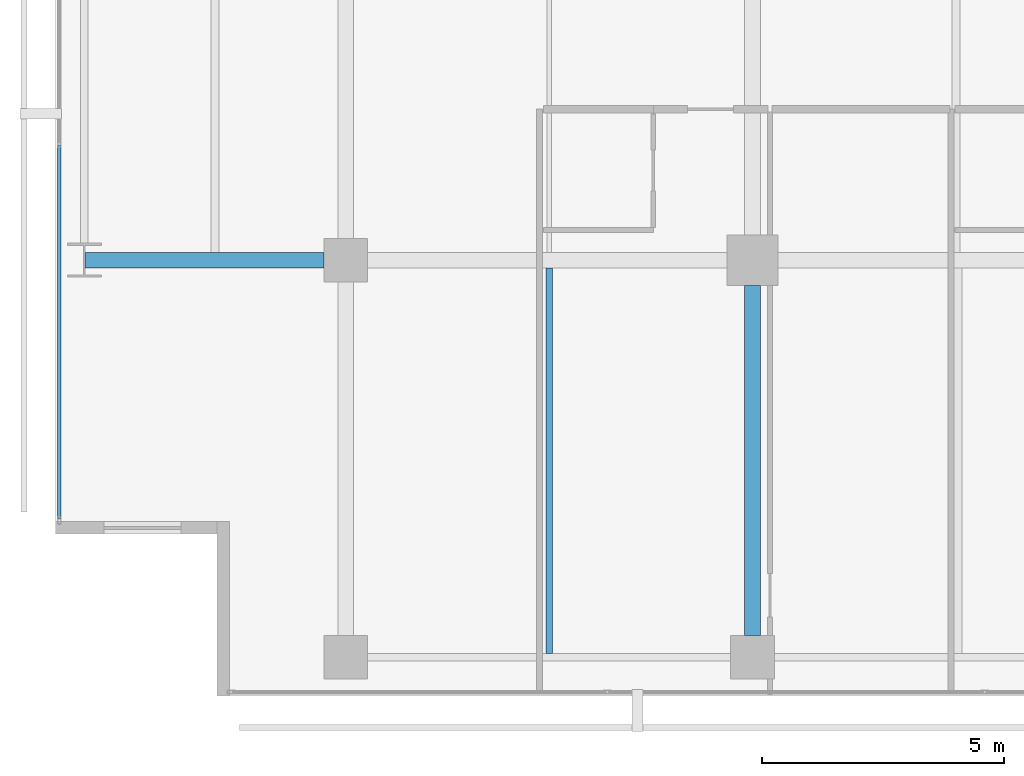
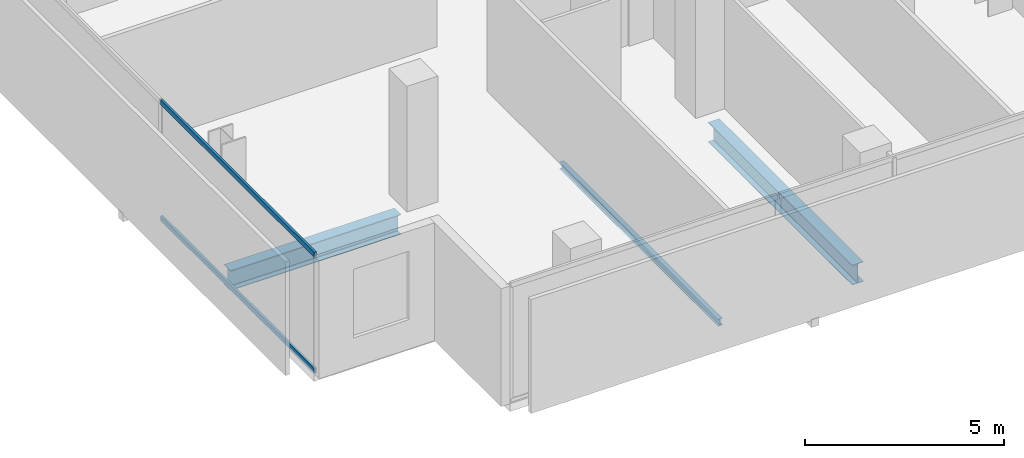
# One storey, part 4 of 40: 3 beams, 2 members, 1 element without a shape of its own.
"""IFC4 building model written with IfcOpenShell, lengths in metres."""

from ifc_helpers import new_model, si_unit, direction, frame, origin, origin_2d, place, context, subcontext, project, spatial, hollow_rectangle, i_section, extrude, material, layer, layer_set, material_profile, profile_set, type_object, element, aggregate, save


model = new_model("IFC4")

# Units and contexts
model_context = context("Model", 3, precision=1e-05, world=origin(), true_north=direction((0.0, 1.0)))
body_context = subcontext(model_context, "Body", "Model", "MODEL_VIEW")
ifc_project = project(units=[si_unit("LENGTHUNIT", "METRE"), si_unit("AREAUNIT", "SQUARE_METRE"), si_unit("VOLUMEUNIT", "CUBIC_METRE"), si_unit("PLANEANGLEUNIT", "RADIAN"), si_unit("MASSUNIT", "GRAM", prefix="KILO")], contexts=[model_context])

# Site, building, storey
site_placement = place(None, origin())
site = spatial("IfcSite", under=ifc_project, at=site_placement, CompositionType="ELEMENT")
building_placement = place(site_placement, origin())
building = spatial("IfcBuilding", under=site, at=building_placement, Name="Maruvema Waterfront Hotel and Observation Tower", CompositionType="ELEMENT")
storey_placement = place(building_placement, frame((0.0, 0.0, 96.25)))
storey = spatial("IfcBuildingStorey", under=building, at=storey_placement, Name="L23", CompositionType="ELEMENT", Elevation=96.25)

# Curtain wall, members
ifc_material_1 = material(Name="Anodised bronze aluminium and solar-control low-E IGU", Category="aluminium")
ifc_layer = layer(ifc_material_1, 0.159912109375, Name="Zone 1 Bronze Inner Thermal Curtain Wall System CW-02")
ifc_layer_set = layer_set([ifc_layer], Name="Anodised bronze aluminium and solar-control low-E IGU")
curtain_wall_type = type_object("IfcCurtainWallType", Name="Zone 1 Bronze Inner Thermal Curtain Wall System CW-02", PredefinedType="USERDEFINED", material=ifc_layer_set)
curtain_wall_placement = place(storey_placement, origin())
curtain_wall = element("IfcCurtainWall", 1, at=curtain_wall_placement, inside=storey, type_object=curtain_wall_type, Name="L23 Curtain Wall CW-L23-W", ObjectType="UNITISED CURTAIN WALL", PredefinedType="USERDEFINED")
ifc_material_2 = material(Name="Anodised architectural bronze aluminium", Category="aluminium")
ifc_material_profile_1 = material_profile(ifc_material_2, hollow_rectangle(XDim=0.070068359375, YDim=0.14990234375, WallThickness=0.00390625, at=origin_2d()), Name="ALU-T70x150")
ifc_profile_set_1 = profile_set([ifc_material_profile_1], Name="Anodised architectural bronze aluminium")
member_type = type_object("IfcMemberType", Name="Curtain Wall Horizontal Transom ALU-T70x150", PredefinedType="USERDEFINED", material=ifc_profile_set_1)
member_1_placement = place(storey_placement, frame((10.8798828125, 11.3701171875, 0.030029296875), z_axis=(0.0, -1.0, 0.0), x_axis=(1.0, 0.0, 0.0)))
member_1 = element("IfcMember", 2, at=member_1_placement, type_object=member_type, Name="CW-02 transom 6.1", ObjectType="TRANSOM", PredefinedType="USERDEFINED", context=body_context, shape_type="SweptSolid", body=[
    extrude(hollow_rectangle(XDim=0.070068359375, YDim=0.14990234375, WallThickness=0.00390625, at=origin_2d()), origin(), (0.0, 0.0, 1.0), 7.710205078125),
])
member_2_placement = place(storey_placement, frame((10.8798828125, 11.3701171875, 3.580078125), z_axis=(0.0, -1.0, 0.0), x_axis=(1.0, 0.0, 0.0)))
member_2 = element("IfcMember", 3, at=member_2_placement, type_object=member_type, Name="CW-02 transom 6.2", ObjectType="TRANSOM", PredefinedType="USERDEFINED", context=body_context, shape_type="SweptSolid", body=[
    extrude(hollow_rectangle(XDim=0.070068359375, YDim=0.14990234375, WallThickness=0.00390625, at=origin_2d()), origin(), (0.0, 0.0, 1.0), 7.710205078125),
])
aggregate(curtain_wall, [member_1, member_2])

# Beams
ifc_material_3 = material(Name="Steel ASTM A572 Grade 50", Category="steel")
ifc_material_profile_2 = material_profile(ifc_material_3, i_section(OverallWidth=0.323974609375, OverallDepth=0.611083984375, WebThickness=0.0126953125, FlangeThickness=0.01904296875, FilletRadius=0.01806640625, at=origin_2d()), Name="W610x155.0")
ifc_profile_set_2 = profile_set([ifc_material_profile_2], Name="Steel ASTM A572 Grade 50")
beam_type_1 = type_object("IfcBeamType", Name="Primary Floor Girder W610x155.0", PredefinedType="BEAM", material=ifc_profile_set_2)
beam_1_placement = place(storey_placement, frame((11.4140625, 9.0, -0.54541015625), z_axis=(1.0, 0.0, 0.0), x_axis=(0.0, 1.0, 0.0)))
element("IfcBeam", 4, at=beam_1_placement, inside=storey, type_object=beam_type_1, Name="L23 Floor Girder EW-06", PredefinedType="BEAM", context=body_context, shape_type="SweptSolid", body=[
    extrude(i_section(OverallWidth=0.323974609375, OverallDepth=0.611083984375, WebThickness=0.0126953125, FlangeThickness=0.01904296875, FilletRadius=0.01806640625, at=origin_2d()), origin(), (0.0, 0.0, 1.0), 4.93603515625),
])
beam_2_placement = place(storey_placement, frame((25.199951171875, 1.25, -0.54541015625), z_axis=(0.0, 1.0, 0.0), x_axis=(-1.0, 0.0, 0.0)))
element("IfcBeam", 5, at=beam_2_placement, inside=storey, type_object=beam_type_1, Name="L23 Floor Girder NS-11", PredefinedType="BEAM", context=body_context, shape_type="SweptSolid", body=[
    extrude(i_section(OverallWidth=0.323974609375, OverallDepth=0.611083984375, WebThickness=0.0126953125, FlangeThickness=0.01904296875, FilletRadius=0.01806640625, at=origin_2d()), origin(), (0.0, 0.0, 1.0), 7.22509765625),
])
ifc_material_4 = material(Name="Steel ASTM A572 Grade 50", Category="steel")
ifc_material_profile_3 = material_profile(ifc_material_4, i_section(OverallWidth=0.133056640625, OverallDepth=0.20703125, WebThickness=0.005859375, FlangeThickness=0.00830078125, FilletRadius=0.010009765625, at=origin_2d()), Name="W200x26.6")
ifc_profile_set_3 = profile_set([ifc_material_profile_3], Name="Steel ASTM A572 Grade 50")
beam_type_2 = type_object("IfcBeamType", Name="Secondary Floor Joist W200x26.6", PredefinedType="JOIST", material=ifc_profile_set_3)
beam_3_placement = place(storey_placement, frame((21.0, 0.87646484375, -0.343505859375), z_axis=(0.0, 1.0, 0.0), x_axis=(-1.0, 0.0, 0.0)))
element("IfcBeam", 6, at=beam_3_placement, inside=storey, type_object=beam_type_2, Name="L23 Secondary Floor Joist JS-05", PredefinedType="JOIST", context=body_context, shape_type="SweptSolid", body=[
    extrude(i_section(OverallWidth=0.133056640625, OverallDepth=0.20703125, WebThickness=0.005859375, FlangeThickness=0.00830078125, FilletRadius=0.010009765625, at=origin_2d()), origin(), (0.0, 0.0, 1.0), 7.96142578125),
])

save(model, "model.ifc")
